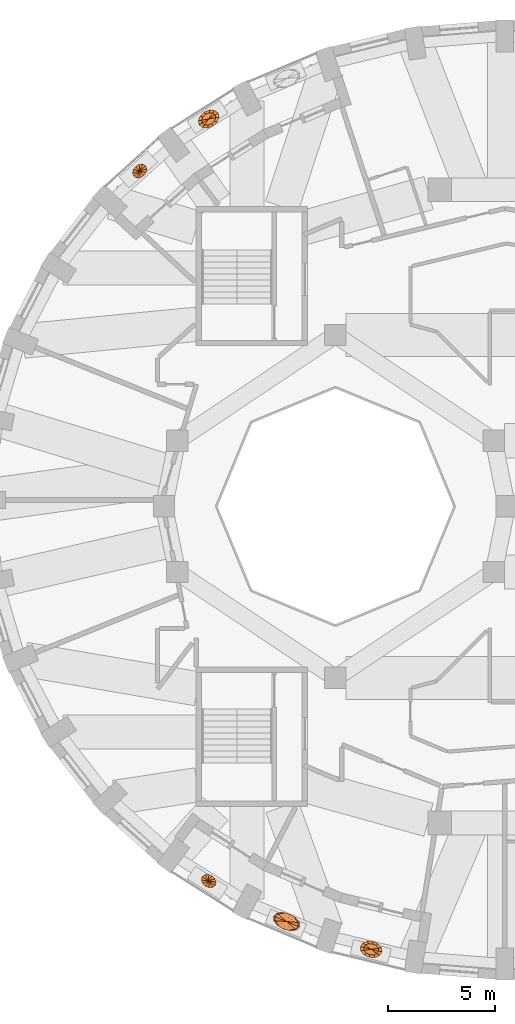
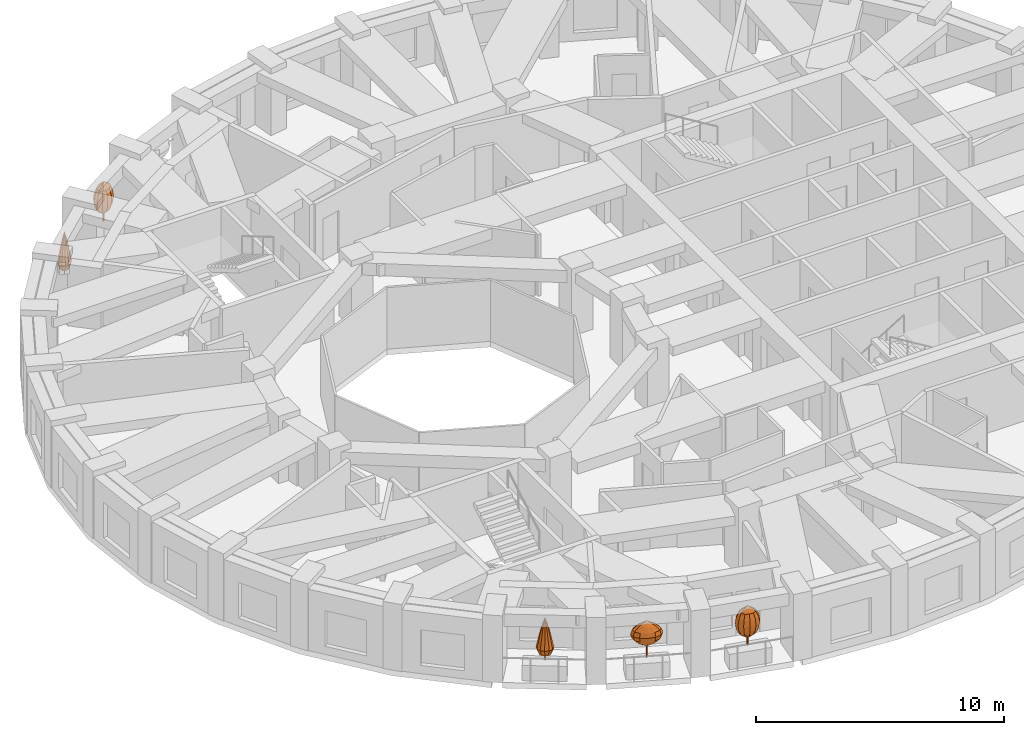
# One storey, part 11 of 12: 5 geographic elements.
"""IFC4 building model written with IfcOpenShell, lengths in metres."""

from ifc_helpers import new_model, si_unit, direction, frame, origin, place, context, subcontext, project, spatial, faceted_brep, material, constituent, constituent_set, type_object, element, save


model = new_model("IFC4")

# Units and contexts
model_context = context("Model", 3, precision=1e-05, world=origin(), true_north=direction((0.0, 1.0)))
body_context = subcontext(model_context, "Body", "Model", "MODEL_VIEW")
ifc_project = project(units=[si_unit("LENGTHUNIT", "METRE"), si_unit("AREAUNIT", "SQUARE_METRE"), si_unit("VOLUMEUNIT", "CUBIC_METRE"), si_unit("PLANEANGLEUNIT", "RADIAN"), si_unit("MASSUNIT", "GRAM", prefix="KILO")], contexts=[model_context])

# Site, building, storey
site_placement = place(None, origin())
site = spatial("IfcSite", under=ifc_project, at=site_placement, CompositionType="ELEMENT")
building_placement = place(site_placement, origin())
building = spatial("IfcBuilding", under=site, at=building_placement, Name="Taillehof Tower", CompositionType="ELEMENT")
storey_placement = place(building_placement, frame((0.0, 0.0, 253.10009765625)))
storey = spatial("IfcBuildingStorey", under=building, at=storey_placement, Name="L72", CompositionType="ELEMENT", Elevation=253.10009765625)

# Geographic elements
ifc_material_1 = material(Name="Tree bark", Category="timber")
ifc_constituent_1 = constituent(ifc_material_1, Name="Trunk", Category="timber")
ifc_material_2 = material(Name="Tree foliage")
ifc_constituent_2 = constituent(ifc_material_2, Name="Crown")
ifc_constituent_set_1 = constituent_set(constituents=[ifc_constituent_1, ifc_constituent_2], Name="Tree TR2 Fastigiate yew")
geographic_element_type_1 = type_object("IfcGeographicElementType", Name="Tree TR2 Fastigiate yew", PredefinedType="USERDEFINED", material=ifc_constituent_set_1)
geographic_element_1_placement = place(storey_placement, frame((-13.91650390625, 18.08251953125, 0.75)))
element("IfcGeographicElement", 1, at=geographic_element_1_placement, inside=storey, type_object=geographic_element_type_1, Name="Tree TR2 Fastigiate yew", ObjectType="TREE", PredefinedType="USERDEFINED", context=body_context, shape_type="Brep", body=[
    faceted_brep([(0.034912109375, 0.0, 0.0), (0.024658203125, 0.024658203125, 0.0), (0.024658203125, 0.024658203125, 0.909912109375), (0.034912109375, 0.0, 0.909912109375), (0.0, 0.034912109375, 0.0), (0.0, 0.034912109375, 0.909912109375), (-0.024658203125, 0.024658203125, 0.0), (-0.024658203125, 0.024658203125, 0.909912109375), (-0.034912109375, 0.0, 0.0), (-0.034912109375, 0.0, 0.909912109375), (-0.024658203125, -0.024658203125, 0.0), (-0.024658203125, -0.024658203125, 0.909912109375), (0.0, -0.034912109375, 0.0), (0.0, -0.034912109375, 0.909912109375), (0.024658203125, -0.024658203125, 0.0), (0.024658203125, -0.024658203125, 0.909912109375)], [[[0, 1, 2, 3]], [[1, 4, 5, 2]], [[4, 6, 7, 5]], [[6, 8, 9, 7]], [[8, 10, 11, 9]], [[10, 12, 13, 11]], [[12, 14, 15, 13]], [[14, 0, 3, 15]], [[14, 12, 10, 8, 6, 4, 1, 0]], [[3, 2, 5, 7, 9, 11, 13, 15]]]),
    faceted_brep([(0.0, 0.0, 0.35009765625), (-0.192138671875, -0.274658203125, 0.61669921875), (-0.302001953125, -0.1904296875, 0.61669921875), (-0.031005859375, -0.285400390625, 0.61669921875), (0.138427734375, -0.219482421875, 0.61669921875), (0.270751953125, -0.094970703125, 0.61669921875), (0.33056640625, 0.054931640625, 0.61669921875), (0.302001953125, 0.1904296875, 0.61669921875), (0.192138671875, 0.274658203125, 0.61669921875), (0.031005859375, 0.285400390625, 0.61669921875), (-0.138427734375, 0.219482421875, 0.61669921875), (-0.270751953125, 0.094970703125, 0.61669921875), (-0.33056640625, -0.054931640625, 0.61669921875), (-0.260009765625, -0.371337890625, 0.88330078125), (-0.408447265625, -0.257568359375, 0.88330078125), (-0.0419921875, -0.385986328125, 0.88330078125), (0.187255859375, -0.297119140625, 0.88330078125), (0.366455078125, -0.12841796875, 0.88330078125), (0.447265625, 0.074462890625, 0.88330078125), (0.408447265625, 0.257568359375, 0.88330078125), (0.260009765625, 0.371337890625, 0.88330078125), (0.0419921875, 0.385986328125, 0.88330078125), (-0.187255859375, 0.297119140625, 0.88330078125), (-0.366455078125, 0.12841796875, 0.88330078125), (-0.447265625, -0.074462890625, 0.88330078125), (-0.281494140625, -0.402099609375, 1.14990234375), (-0.44189453125, -0.278564453125, 1.14990234375), (-0.04541015625, -0.417724609375, 1.14990234375), (0.20263671875, -0.321533203125, 1.14990234375), (0.396484375, -0.13916015625, 1.14990234375), (0.484130859375, 0.08056640625, 1.14990234375), (0.44189453125, 0.278564453125, 1.14990234375), (0.281494140625, 0.402099609375, 1.14990234375), (0.04541015625, 0.417724609375, 1.14990234375), (-0.20263671875, 0.321533203125, 1.14990234375), (-0.396484375, 0.13916015625, 1.14990234375), (-0.484130859375, -0.08056640625, 1.14990234375), (-0.260009765625, -0.371337890625, 1.416748046875), (-0.408447265625, -0.257568359375, 1.416748046875), (-0.0419921875, -0.385986328125, 1.416748046875), (0.187255859375, -0.297119140625, 1.416748046875), (0.366455078125, -0.12841796875, 1.416748046875), (0.447265625, 0.074462890625, 1.416748046875), (0.408447265625, 0.257568359375, 1.416748046875), (0.260009765625, 0.371337890625, 1.416748046875), (0.0419921875, 0.385986328125, 1.416748046875), (-0.187255859375, 0.297119140625, 1.416748046875), (-0.366455078125, 0.12841796875, 1.416748046875), (-0.447265625, -0.074462890625, 1.416748046875), (-0.192138671875, -0.274658203125, 1.683349609375), (-0.302001953125, -0.1904296875, 1.683349609375), (-0.031005859375, -0.285400390625, 1.683349609375), (0.138427734375, -0.219482421875, 1.683349609375), (0.270751953125, -0.094970703125, 1.683349609375), (0.33056640625, 0.054931640625, 1.683349609375), (0.302001953125, 0.1904296875, 1.683349609375), (0.192138671875, 0.274658203125, 1.683349609375), (0.031005859375, 0.285400390625, 1.683349609375), (-0.138427734375, 0.219482421875, 1.683349609375), (-0.270751953125, 0.094970703125, 1.683349609375), (-0.33056640625, -0.054931640625, 1.683349609375), (0.0, 0.0, 1.949951171875)], [[[0, 1, 2]], [[0, 3, 1]], [[0, 4, 3]], [[0, 5, 4]], [[0, 6, 5]], [[0, 7, 6]], [[0, 8, 7]], [[0, 9, 8]], [[0, 10, 9]], [[0, 11, 10]], [[0, 12, 11]], [[0, 2, 12]], [[2, 1, 13, 14]], [[1, 3, 15, 13]], [[3, 4, 16, 15]], [[4, 5, 17, 16]], [[5, 6, 18, 17]], [[6, 7, 19, 18]], [[7, 8, 20, 19]], [[8, 9, 21, 20]], [[9, 10, 22, 21]], [[10, 11, 23, 22]], [[11, 12, 24, 23]], [[12, 2, 14, 24]], [[14, 13, 25, 26]], [[13, 15, 27, 25]], [[15, 16, 28, 27]], [[16, 17, 29, 28]], [[17, 18, 30, 29]], [[18, 19, 31, 30]], [[19, 20, 32, 31]], [[20, 21, 33, 32]], [[21, 22, 34, 33]], [[22, 23, 35, 34]], [[23, 24, 36, 35]], [[24, 14, 26, 36]], [[26, 25, 37, 38]], [[25, 27, 39, 37]], [[27, 28, 40, 39]], [[28, 29, 41, 40]], [[29, 30, 42, 41]], [[30, 31, 43, 42]], [[31, 32, 44, 43]], [[32, 33, 45, 44]], [[33, 34, 46, 45]], [[34, 35, 47, 46]], [[35, 36, 48, 47]], [[36, 26, 38, 48]], [[38, 37, 49, 50]], [[37, 39, 51, 49]], [[39, 40, 52, 51]], [[40, 41, 53, 52]], [[41, 42, 54, 53]], [[42, 43, 55, 54]], [[43, 44, 56, 55]], [[44, 45, 57, 56]], [[45, 46, 58, 57]], [[46, 47, 59, 58]], [[47, 48, 60, 59]], [[48, 38, 50, 60]], [[50, 49, 61]], [[49, 51, 61]], [[51, 52, 61]], [[52, 53, 61]], [[53, 54, 61]], [[54, 55, 61]], [[55, 56, 61]], [[56, 57, 61]], [[57, 58, 61]], [[58, 59, 61]], [[59, 60, 61]], [[60, 50, 61]]]),
])
geographic_element_2_placement = place(storey_placement, frame((-6.333984375, -20.666259765625, 0.75)))
element("IfcGeographicElement", 2, at=geographic_element_2_placement, inside=storey, type_object=geographic_element_type_1, Name="Tree TR2 Fastigiate yew", ObjectType="TREE", PredefinedType="USERDEFINED", context=body_context, shape_type="Brep", body=[
    faceted_brep([(0.034912109375, 0.0, 0.0), (0.024658203125, 0.024658203125, 0.0), (0.024658203125, 0.024658203125, 0.909912109375), (0.034912109375, 0.0, 0.909912109375), (0.0, 0.034912109375, 0.0), (0.0, 0.034912109375, 0.909912109375), (-0.024658203125, 0.024658203125, 0.0), (-0.024658203125, 0.024658203125, 0.909912109375), (-0.034912109375, 0.0, 0.0), (-0.034912109375, 0.0, 0.909912109375), (-0.024658203125, -0.024658203125, 0.0), (-0.024658203125, -0.024658203125, 0.909912109375), (0.0, -0.034912109375, 0.0), (0.0, -0.034912109375, 0.909912109375), (0.024658203125, -0.024658203125, 0.0), (0.024658203125, -0.024658203125, 0.909912109375)], [[[0, 1, 2, 3]], [[1, 4, 5, 2]], [[4, 6, 7, 5]], [[6, 8, 9, 7]], [[8, 10, 11, 9]], [[10, 12, 13, 11]], [[12, 14, 15, 13]], [[14, 0, 3, 15]], [[14, 12, 10, 8, 6, 4, 1, 0]], [[3, 2, 5, 7, 9, 11, 13, 15]]]),
    faceted_brep([(0.0, 0.0, 0.35009765625), (0.330810546875, 0.0537109375, 0.61669921875), (0.346923828125, -0.083740234375, 0.61669921875), (0.22607421875, 0.1767578125, 0.61669921875), (0.060791015625, 0.252197265625, 0.61669921875), (-0.120849609375, 0.26025390625, 0.61669921875), (-0.27001953125, 0.19873046875, 0.61669921875), (-0.346923828125, 0.083740234375, 0.61669921875), (-0.330810546875, -0.0537109375, 0.61669921875), (-0.22607421875, -0.1767578125, 0.61669921875), (-0.060791015625, -0.252197265625, 0.61669921875), (0.120849609375, -0.26025390625, 0.61669921875), (0.27001953125, -0.19873046875, 0.61669921875), (0.447509765625, 0.072509765625, 0.88330078125), (0.46923828125, -0.11328125, 0.88330078125), (0.305908203125, 0.239013671875, 0.88330078125), (0.082275390625, 0.34130859375, 0.88330078125), (-0.163330078125, 0.352294921875, 0.88330078125), (-0.365234375, 0.268798828125, 0.88330078125), (-0.46923828125, 0.11328125, 0.88330078125), (-0.447509765625, -0.072509765625, 0.88330078125), (-0.305908203125, -0.239013671875, 0.88330078125), (-0.082275390625, -0.34130859375, 0.88330078125), (0.163330078125, -0.352294921875, 0.88330078125), (0.365234375, -0.268798828125, 0.88330078125), (0.484375, 0.07861328125, 1.14990234375), (0.5078125, -0.12255859375, 1.14990234375), (0.3310546875, 0.258544921875, 1.14990234375), (0.089111328125, 0.369384765625, 1.14990234375), (-0.1767578125, 0.381103515625, 1.14990234375), (-0.395263671875, 0.290771484375, 1.14990234375), (-0.5078125, 0.12255859375, 1.14990234375), (-0.484375, -0.07861328125, 1.14990234375), (-0.3310546875, -0.258544921875, 1.14990234375), (-0.089111328125, -0.369384765625, 1.14990234375), (0.1767578125, -0.381103515625, 1.14990234375), (0.395263671875, -0.290771484375, 1.14990234375), (0.447509765625, 0.072509765625, 1.416748046875), (0.46923828125, -0.11328125, 1.416748046875), (0.305908203125, 0.239013671875, 1.416748046875), (0.082275390625, 0.34130859375, 1.416748046875), (-0.163330078125, 0.352294921875, 1.416748046875), (-0.365234375, 0.268798828125, 1.416748046875), (-0.46923828125, 0.11328125, 1.416748046875), (-0.447509765625, -0.072509765625, 1.416748046875), (-0.305908203125, -0.239013671875, 1.416748046875), (-0.082275390625, -0.34130859375, 1.416748046875), (0.163330078125, -0.352294921875, 1.416748046875), (0.365234375, -0.268798828125, 1.416748046875), (0.330810546875, 0.0537109375, 1.683349609375), (0.346923828125, -0.083740234375, 1.683349609375), (0.22607421875, 0.1767578125, 1.683349609375), (0.060791015625, 0.252197265625, 1.683349609375), (-0.120849609375, 0.26025390625, 1.683349609375), (-0.27001953125, 0.19873046875, 1.683349609375), (-0.346923828125, 0.083740234375, 1.683349609375), (-0.330810546875, -0.0537109375, 1.683349609375), (-0.22607421875, -0.1767578125, 1.683349609375), (-0.060791015625, -0.252197265625, 1.683349609375), (0.120849609375, -0.26025390625, 1.683349609375), (0.27001953125, -0.19873046875, 1.683349609375), (0.0, 0.0, 1.949951171875)], [[[0, 1, 2]], [[0, 3, 1]], [[0, 4, 3]], [[0, 5, 4]], [[0, 6, 5]], [[0, 7, 6]], [[0, 8, 7]], [[0, 9, 8]], [[0, 10, 9]], [[0, 11, 10]], [[0, 12, 11]], [[0, 2, 12]], [[2, 1, 13, 14]], [[1, 3, 15, 13]], [[3, 4, 16, 15]], [[4, 5, 17, 16]], [[5, 6, 18, 17]], [[6, 7, 19, 18]], [[7, 8, 20, 19]], [[8, 9, 21, 20]], [[9, 10, 22, 21]], [[10, 11, 23, 22]], [[11, 12, 24, 23]], [[12, 2, 14, 24]], [[14, 13, 25, 26]], [[13, 15, 27, 25]], [[15, 16, 28, 27]], [[16, 17, 29, 28]], [[17, 18, 30, 29]], [[18, 19, 31, 30]], [[19, 20, 32, 31]], [[20, 21, 33, 32]], [[21, 22, 34, 33]], [[22, 23, 35, 34]], [[23, 24, 36, 35]], [[24, 14, 26, 36]], [[26, 25, 37, 38]], [[25, 27, 39, 37]], [[27, 28, 40, 39]], [[28, 29, 41, 40]], [[29, 30, 42, 41]], [[30, 31, 43, 42]], [[31, 32, 44, 43]], [[32, 33, 45, 44]], [[33, 34, 46, 45]], [[34, 35, 47, 46]], [[35, 36, 48, 47]], [[36, 26, 38, 48]], [[38, 37, 49, 50]], [[37, 39, 51, 49]], [[39, 40, 52, 51]], [[40, 41, 53, 52]], [[41, 42, 54, 53]], [[42, 43, 55, 54]], [[43, 44, 56, 55]], [[44, 45, 57, 56]], [[45, 46, 58, 57]], [[46, 47, 59, 58]], [[47, 48, 60, 59]], [[48, 38, 50, 60]], [[50, 49, 61]], [[49, 51, 61]], [[51, 52, 61]], [[52, 53, 61]], [[53, 54, 61]], [[54, 55, 61]], [[55, 56, 61]], [[56, 57, 61]], [[57, 58, 61]], [[58, 59, 61]], [[59, 60, 61]], [[60, 50, 61]]]),
])
ifc_material_3 = material(Name="Tree bark", Category="timber")
ifc_constituent_3 = constituent(ifc_material_3, Name="Trunk", Category="timber")
ifc_material_4 = material(Name="Tree foliage")
ifc_constituent_4 = constituent(ifc_material_4, Name="Crown")
ifc_constituent_set_2 = constituent_set(constituents=[ifc_constituent_3, ifc_constituent_4], Name="Tree TR4 Sea buckthorn standard")
geographic_element_type_2 = type_object("IfcGeographicElementType", Name="Tree TR4 Sea buckthorn standard", PredefinedType="USERDEFINED", material=ifc_constituent_set_2)
geographic_element_3_placement = place(storey_placement, frame((-10.279541015625, -19.373291015625, 0.75)))
element("IfcGeographicElement", 3, at=geographic_element_3_placement, inside=storey, type_object=geographic_element_type_2, Name="Tree TR4 Sea buckthorn standard", ObjectType="TREE", PredefinedType="USERDEFINED", context=body_context, shape_type="Brep", body=[
    faceted_brep([(0.030029296875, 0.0, 0.0), (0.021240234375, 0.021240234375, 0.0), (0.021240234375, 0.021240234375, 0.98095703125), (0.030029296875, 0.0, 0.98095703125), (0.0, 0.030029296875, 0.0), (0.0, 0.030029296875, 0.98095703125), (-0.021240234375, 0.021240234375, 0.0), (-0.021240234375, 0.021240234375, 0.98095703125), (-0.030029296875, 0.0, 0.0), (-0.030029296875, 0.0, 0.98095703125), (-0.021240234375, -0.021240234375, 0.0), (-0.021240234375, -0.021240234375, 0.98095703125), (0.0, -0.030029296875, 0.0), (0.0, -0.030029296875, 0.98095703125), (0.021240234375, -0.021240234375, 0.0), (0.021240234375, -0.021240234375, 0.98095703125)], [[[0, 1, 2, 3]], [[1, 4, 5, 2]], [[4, 6, 7, 5]], [[6, 8, 9, 7]], [[8, 10, 11, 9]], [[10, 12, 13, 11]], [[12, 14, 15, 13]], [[14, 0, 3, 15]], [[14, 12, 10, 8, 6, 4, 1, 0]], [[3, 2, 5, 7, 9, 11, 13, 15]]]),
    faceted_brep([(0.0, 0.0, 0.5400390625), (0.34716796875, -0.02734375, 0.75), (0.35205078125, -0.14794921875, 0.75), (0.249267578125, 0.100341796875, 0.75), (0.08447265625, 0.201171875, 0.75), (-0.10302734375, 0.248291015625, 0.75), (-0.2626953125, 0.228759765625, 0.75), (-0.35205078125, 0.14794921875, 0.75), (-0.34716796875, 0.02734375, 0.75), (-0.249267578125, -0.100341796875, 0.75), (-0.08447265625, -0.201171875, 0.75), (0.10302734375, -0.248291015625, 0.75), (0.2626953125, -0.228759765625, 0.75), (0.538818359375, -0.04248046875, 0.9599609375), (0.54638671875, -0.2294921875, 0.9599609375), (0.38671875, 0.15576171875, 0.9599609375), (0.131103515625, 0.312255859375, 0.9599609375), (-0.15966796875, 0.38525390625, 0.9599609375), (-0.40771484375, 0.354736328125, 0.9599609375), (-0.54638671875, 0.2294921875, 0.9599609375), (-0.538818359375, 0.04248046875, 0.9599609375), (-0.38671875, -0.15576171875, 0.9599609375), (-0.131103515625, -0.312255859375, 0.9599609375), (0.15966796875, -0.38525390625, 0.9599609375), (0.40771484375, -0.354736328125, 0.9599609375), (0.6044921875, -0.0478515625, 1.169921875), (0.613037109375, -0.25732421875, 1.169921875), (0.43408203125, 0.1748046875, 1.169921875), (0.147216796875, 0.350341796875, 1.169921875), (-0.17919921875, 0.43212890625, 1.169921875), (-0.45751953125, 0.398193359375, 1.169921875), (-0.613037109375, 0.25732421875, 1.169921875), (-0.6044921875, 0.0478515625, 1.169921875), (-0.43408203125, -0.1748046875, 1.169921875), (-0.147216796875, -0.350341796875, 1.169921875), (0.17919921875, -0.43212890625, 1.169921875), (0.45751953125, -0.398193359375, 1.169921875), (0.538818359375, -0.04248046875, 1.3798828125), (0.54638671875, -0.2294921875, 1.3798828125), (0.38671875, 0.15576171875, 1.3798828125), (0.131103515625, 0.312255859375, 1.3798828125), (-0.15966796875, 0.38525390625, 1.3798828125), (-0.40771484375, 0.354736328125, 1.3798828125), (-0.54638671875, 0.2294921875, 1.3798828125), (-0.538818359375, 0.04248046875, 1.3798828125), (-0.38671875, -0.15576171875, 1.3798828125), (-0.131103515625, -0.312255859375, 1.3798828125), (0.15966796875, -0.38525390625, 1.3798828125), (0.40771484375, -0.354736328125, 1.3798828125), (0.34716796875, -0.02734375, 1.590087890625), (0.35205078125, -0.14794921875, 1.590087890625), (0.249267578125, 0.100341796875, 1.590087890625), (0.08447265625, 0.201171875, 1.590087890625), (-0.10302734375, 0.248291015625, 1.590087890625), (-0.2626953125, 0.228759765625, 1.590087890625), (-0.35205078125, 0.14794921875, 1.590087890625), (-0.34716796875, 0.02734375, 1.590087890625), (-0.249267578125, -0.100341796875, 1.590087890625), (-0.08447265625, -0.201171875, 1.590087890625), (0.10302734375, -0.248291015625, 1.590087890625), (0.2626953125, -0.228759765625, 1.590087890625), (0.0, 0.0, 1.800048828125)], [[[0, 1, 2]], [[0, 3, 1]], [[0, 4, 3]], [[0, 5, 4]], [[0, 6, 5]], [[0, 7, 6]], [[0, 8, 7]], [[0, 9, 8]], [[0, 10, 9]], [[0, 11, 10]], [[0, 12, 11]], [[0, 2, 12]], [[2, 1, 13, 14]], [[1, 3, 15, 13]], [[3, 4, 16, 15]], [[4, 5, 17, 16]], [[5, 6, 18, 17]], [[6, 7, 19, 18]], [[7, 8, 20, 19]], [[8, 9, 21, 20]], [[9, 10, 22, 21]], [[10, 11, 23, 22]], [[11, 12, 24, 23]], [[12, 2, 14, 24]], [[14, 13, 25, 26]], [[13, 15, 27, 25]], [[15, 16, 28, 27]], [[16, 17, 29, 28]], [[17, 18, 30, 29]], [[18, 19, 31, 30]], [[19, 20, 32, 31]], [[20, 21, 33, 32]], [[21, 22, 34, 33]], [[22, 23, 35, 34]], [[23, 24, 36, 35]], [[24, 14, 26, 36]], [[26, 25, 37, 38]], [[25, 27, 39, 37]], [[27, 28, 40, 39]], [[28, 29, 41, 40]], [[29, 30, 42, 41]], [[30, 31, 43, 42]], [[31, 32, 44, 43]], [[32, 33, 45, 44]], [[33, 34, 46, 45]], [[34, 35, 47, 46]], [[35, 36, 48, 47]], [[36, 26, 38, 48]], [[38, 37, 49, 50]], [[37, 39, 51, 49]], [[39, 40, 52, 51]], [[40, 41, 53, 52]], [[41, 42, 54, 53]], [[42, 43, 55, 54]], [[43, 44, 56, 55]], [[44, 45, 57, 56]], [[45, 46, 58, 57]], [[46, 47, 59, 58]], [[47, 48, 60, 59]], [[48, 38, 50, 60]], [[50, 49, 61]], [[49, 51, 61]], [[51, 52, 61]], [[52, 53, 61]], [[53, 54, 61]], [[54, 55, 61]], [[55, 56, 61]], [[56, 57, 61]], [[57, 58, 61]], [[58, 59, 61]], [[59, 60, 61]], [[60, 50, 61]]]),
])
ifc_material_5 = material(Name="Tree bark", Category="timber")
ifc_constituent_5 = constituent(ifc_material_5, Name="Trunk", Category="timber")
ifc_material_6 = material(Name="Tree foliage")
ifc_constituent_6 = constituent(ifc_material_6, Name="Crown")
ifc_constituent_set_3 = constituent_set(constituents=[ifc_constituent_5, ifc_constituent_6], Name="Tree TR5 Columnar juniper")
geographic_element_type_3 = type_object("IfcGeographicElementType", Name="Tree TR5 Columnar juniper", PredefinedType="USERDEFINED", material=ifc_constituent_set_3)
geographic_element_4_placement = place(storey_placement, frame((-17.134033203125, 15.651611328125, 0.75)))
element("IfcGeographicElement", 4, at=geographic_element_4_placement, inside=storey, type_object=geographic_element_type_3, Name="Tree TR5 Columnar juniper", ObjectType="TREE", PredefinedType="USERDEFINED", context=body_context, shape_type="Brep", body=[
    faceted_brep([(0.02490234375, 0.0, 0.0), (0.017578125, 0.017578125, 0.0), (0.017578125, 0.017578125, 0.929931640625), (0.02490234375, 0.0, 0.929931640625), (0.0, 0.02490234375, 0.0), (0.0, 0.02490234375, 0.929931640625), (-0.017578125, 0.017578125, 0.0), (-0.017578125, 0.017578125, 0.929931640625), (-0.02490234375, 0.0, 0.0), (-0.02490234375, 0.0, 0.929931640625), (-0.017578125, -0.017578125, 0.0), (-0.017578125, -0.017578125, 0.929931640625), (0.0, -0.02490234375, 0.0), (0.0, -0.02490234375, 0.929931640625), (0.017578125, -0.017578125, 0.0), (0.017578125, -0.017578125, 0.929931640625)], [[[0, 1, 2, 3]], [[1, 4, 5, 2]], [[4, 6, 7, 5]], [[6, 8, 9, 7]], [[8, 10, 11, 9]], [[10, 12, 13, 11]], [[12, 14, 15, 13]], [[14, 0, 3, 15]], [[14, 12, 10, 8, 6, 4, 1, 0]], [[3, 2, 5, 7, 9, 11, 13, 15]]]),
    faceted_brep([(-0.183837890625, -0.16552734375, 0.300048828125), (-0.094970703125, -0.21484375, 0.300048828125), (-0.1416015625, -0.32080078125, 0.60009765625), (-0.274658203125, -0.247314453125, 0.60009765625), (0.01953125, -0.206787109375, 0.300048828125), (0.029296875, -0.30859375, 0.60009765625), (0.12890625, -0.14306640625, 0.300048828125), (0.1923828125, -0.213623046875, 0.60009765625), (0.20361328125, -0.041015625, 0.300048828125), (0.3037109375, -0.061279296875, 0.60009765625), (0.2236328125, 0.07177734375, 0.300048828125), (0.333984375, 0.107421875, 0.60009765625), (0.183837890625, 0.16552734375, 0.300048828125), (0.274658203125, 0.247314453125, 0.60009765625), (0.094970703125, 0.21484375, 0.300048828125), (0.1416015625, 0.32080078125, 0.60009765625), (-0.01953125, 0.206787109375, 0.300048828125), (-0.029296875, 0.30859375, 0.60009765625), (-0.12890625, 0.14306640625, 0.300048828125), (-0.1923828125, 0.213623046875, 0.60009765625), (-0.20361328125, 0.041015625, 0.300048828125), (-0.3037109375, 0.061279296875, 0.60009765625), (-0.2236328125, -0.07177734375, 0.300048828125), (-0.333984375, -0.107421875, 0.60009765625), (-0.118408203125, -0.268310546875, 0.89990234375), (-0.229736328125, -0.206787109375, 0.89990234375), (0.0244140625, -0.258056640625, 0.89990234375), (0.160888671875, -0.1787109375, 0.89990234375), (0.254150390625, -0.05126953125, 0.89990234375), (0.279296875, 0.08984375, 0.89990234375), (0.229736328125, 0.206787109375, 0.89990234375), (0.118408203125, 0.268310546875, 0.89990234375), (-0.0244140625, 0.258056640625, 0.89990234375), (-0.160888671875, 0.1787109375, 0.89990234375), (-0.254150390625, 0.05126953125, 0.89990234375), (-0.279296875, -0.08984375, 0.89990234375), (-0.09423828125, -0.213134765625, 1.199951171875), (-0.182373046875, -0.164306640625, 1.199951171875), (0.01953125, -0.205078125, 1.199951171875), (0.127685546875, -0.141845703125, 1.199951171875), (0.201904296875, -0.040771484375, 1.199951171875), (0.221923828125, 0.0712890625, 1.199951171875), (0.182373046875, 0.164306640625, 1.199951171875), (0.09423828125, 0.213134765625, 1.199951171875), (-0.01953125, 0.205078125, 1.199951171875), (-0.127685546875, 0.141845703125, 1.199951171875), (-0.201904296875, 0.040771484375, 1.199951171875), (-0.221923828125, -0.0712890625, 1.199951171875), (-0.068115234375, -0.154052734375, 1.5), (-0.1318359375, -0.118896484375, 1.5), (0.01416015625, -0.148193359375, 1.5), (0.09228515625, -0.1025390625, 1.5), (0.14599609375, -0.029541015625, 1.5), (0.160400390625, 0.051513671875, 1.5), (0.1318359375, 0.118896484375, 1.5), (0.068115234375, 0.154052734375, 1.5), (-0.01416015625, 0.148193359375, 1.5), (-0.09228515625, 0.1025390625, 1.5), (-0.14599609375, 0.029541015625, 1.5), (-0.160400390625, -0.051513671875, 1.5), (-0.0390625, -0.088623046875, 1.800048828125), (-0.07568359375, -0.068115234375, 1.800048828125), (0.008056640625, -0.085205078125, 1.800048828125), (0.052978515625, -0.058837890625, 1.800048828125), (0.083740234375, -0.016845703125, 1.800048828125), (0.092041015625, 0.029541015625, 1.800048828125), (0.07568359375, 0.068115234375, 1.800048828125), (0.0390625, 0.088623046875, 1.800048828125), (-0.008056640625, 0.085205078125, 1.800048828125), (-0.052978515625, 0.058837890625, 1.800048828125), (-0.083740234375, 0.016845703125, 1.800048828125), (-0.092041015625, -0.029541015625, 1.800048828125), (0.0, 0.0, 2.10009765625)], [[[0, 1, 2, 3]], [[1, 4, 5, 2]], [[4, 6, 7, 5]], [[6, 8, 9, 7]], [[8, 10, 11, 9]], [[10, 12, 13, 11]], [[12, 14, 15, 13]], [[14, 16, 17, 15]], [[16, 18, 19, 17]], [[18, 20, 21, 19]], [[20, 22, 23, 21]], [[22, 0, 3, 23]], [[3, 2, 24, 25]], [[2, 5, 26, 24]], [[5, 7, 27, 26]], [[7, 9, 28, 27]], [[9, 11, 29, 28]], [[11, 13, 30, 29]], [[13, 15, 31, 30]], [[15, 17, 32, 31]], [[17, 19, 33, 32]], [[19, 21, 34, 33]], [[21, 23, 35, 34]], [[23, 3, 25, 35]], [[25, 24, 36, 37]], [[24, 26, 38, 36]], [[26, 27, 39, 38]], [[27, 28, 40, 39]], [[28, 29, 41, 40]], [[29, 30, 42, 41]], [[30, 31, 43, 42]], [[31, 32, 44, 43]], [[32, 33, 45, 44]], [[33, 34, 46, 45]], [[34, 35, 47, 46]], [[35, 25, 37, 47]], [[37, 36, 48, 49]], [[36, 38, 50, 48]], [[38, 39, 51, 50]], [[39, 40, 52, 51]], [[40, 41, 53, 52]], [[41, 42, 54, 53]], [[42, 43, 55, 54]], [[43, 44, 56, 55]], [[44, 45, 57, 56]], [[45, 46, 58, 57]], [[46, 47, 59, 58]], [[47, 37, 49, 59]], [[49, 48, 60, 61]], [[48, 50, 62, 60]], [[50, 51, 63, 62]], [[51, 52, 64, 63]], [[52, 53, 65, 64]], [[53, 54, 66, 65]], [[54, 55, 67, 66]], [[55, 56, 68, 67]], [[56, 57, 69, 68]], [[57, 58, 70, 69]], [[58, 59, 71, 70]], [[59, 49, 61, 71]], [[61, 60, 72]], [[60, 62, 72]], [[62, 63, 72]], [[63, 64, 72]], [[64, 65, 72]], [[65, 66, 72]], [[66, 67, 72]], [[67, 68, 72]], [[68, 69, 72]], [[69, 70, 72]], [[70, 71, 72]], [[71, 61, 72]], [[22, 20, 18, 16, 14, 12, 10, 8, 6, 4, 1, 0]]]),
])
geographic_element_5_placement = place(storey_placement, frame((-13.91650390625, -17.482666015625, 0.75)))
element("IfcGeographicElement", 5, at=geographic_element_5_placement, inside=storey, type_object=geographic_element_type_3, Name="Tree TR5 Columnar juniper", ObjectType="TREE", PredefinedType="USERDEFINED", context=body_context, shape_type="Brep", body=[
    faceted_brep([(0.02490234375, 0.0, 0.0), (0.017578125, 0.017578125, 0.0), (0.017578125, 0.017578125, 0.929931640625), (0.02490234375, 0.0, 0.929931640625), (0.0, 0.02490234375, 0.0), (0.0, 0.02490234375, 0.929931640625), (-0.017578125, 0.017578125, 0.0), (-0.017578125, 0.017578125, 0.929931640625), (-0.02490234375, 0.0, 0.0), (-0.02490234375, 0.0, 0.929931640625), (-0.017578125, -0.017578125, 0.0), (-0.017578125, -0.017578125, 0.929931640625), (0.0, -0.02490234375, 0.0), (0.0, -0.02490234375, 0.929931640625), (0.017578125, -0.017578125, 0.0), (0.017578125, -0.017578125, 0.929931640625)], [[[0, 1, 2, 3]], [[1, 4, 5, 2]], [[4, 6, 7, 5]], [[6, 8, 9, 7]], [[8, 10, 11, 9]], [[10, 12, 13, 11]], [[12, 14, 15, 13]], [[14, 0, 3, 15]], [[14, 12, 10, 8, 6, 4, 1, 0]], [[3, 2, 5, 7, 9, 11, 13, 15]]]),
    faceted_brep([(0.20947265625, -0.132080078125, 0.300048828125), (0.232666015625, -0.032958984375, 0.300048828125), (0.347412109375, -0.049072265625, 0.60009765625), (0.3125, -0.197021484375, 0.60009765625), (0.193603515625, 0.074951171875, 0.300048828125), (0.2890625, 0.112060546875, 0.60009765625), (0.1025390625, 0.162841796875, 0.300048828125), (0.1533203125, 0.2431640625, 0.60009765625), (-0.015869140625, 0.20703125, 0.300048828125), (-0.0234375, 0.30908203125, 0.60009765625), (-0.1298828125, 0.19580078125, 0.300048828125), (-0.194091796875, 0.292236328125, 0.60009765625), (-0.20947265625, 0.132080078125, 0.300048828125), (-0.3125, 0.197021484375, 0.60009765625), (-0.232666015625, 0.032958984375, 0.300048828125), (-0.347412109375, 0.049072265625, 0.60009765625), (-0.193603515625, -0.074951171875, 0.300048828125), (-0.2890625, -0.112060546875, 0.60009765625), (-0.1025390625, -0.162841796875, 0.300048828125), (-0.1533203125, -0.2431640625, 0.60009765625), (0.015869140625, -0.20703125, 0.300048828125), (0.0234375, -0.30908203125, 0.60009765625), (0.1298828125, -0.19580078125, 0.300048828125), (0.194091796875, -0.292236328125, 0.60009765625), (0.29052734375, -0.041015625, 0.89990234375), (0.261474609375, -0.164794921875, 0.89990234375), (0.24169921875, 0.09375, 0.89990234375), (0.128173828125, 0.203369140625, 0.89990234375), (-0.019775390625, 0.258544921875, 0.89990234375), (-0.162353515625, 0.244384765625, 0.89990234375), (-0.261474609375, 0.164794921875, 0.89990234375), (-0.29052734375, 0.041015625, 0.89990234375), (-0.24169921875, -0.09375, 0.89990234375), (-0.128173828125, -0.203369140625, 0.89990234375), (0.019775390625, -0.258544921875, 0.89990234375), (0.162353515625, -0.244384765625, 0.89990234375), (0.230712890625, -0.03271484375, 1.199951171875), (0.207763671875, -0.130859375, 1.199951171875), (0.192138671875, 0.074462890625, 1.199951171875), (0.101806640625, 0.16162109375, 1.199951171875), (-0.015625, 0.205322265625, 1.199951171875), (-0.12890625, 0.194091796875, 1.199951171875), (-0.207763671875, 0.130859375, 1.199951171875), (-0.230712890625, 0.03271484375, 1.199951171875), (-0.192138671875, -0.074462890625, 1.199951171875), (-0.101806640625, -0.16162109375, 1.199951171875), (0.015625, -0.205322265625, 1.199951171875), (0.12890625, -0.194091796875, 1.199951171875), (0.166748046875, -0.023681640625, 1.5), (0.150146484375, -0.0947265625, 1.5), (0.138916015625, 0.0537109375, 1.5), (0.07373046875, 0.11669921875, 1.5), (-0.01123046875, 0.1484375, 1.5), (-0.09326171875, 0.140380859375, 1.5), (-0.150146484375, 0.0947265625, 1.5), (-0.166748046875, 0.023681640625, 1.5), (-0.138916015625, -0.0537109375, 1.5), (-0.07373046875, -0.11669921875, 1.5), (0.01123046875, -0.1484375, 1.5), (0.09326171875, -0.140380859375, 1.5), (0.095947265625, -0.013427734375, 1.800048828125), (0.086181640625, -0.054443359375, 1.800048828125), (0.079833984375, 0.031005859375, 1.800048828125), (0.042236328125, 0.067138671875, 1.800048828125), (-0.006591796875, 0.085205078125, 1.800048828125), (-0.053466796875, 0.08056640625, 1.800048828125), (-0.086181640625, 0.054443359375, 1.800048828125), (-0.095947265625, 0.013427734375, 1.800048828125), (-0.079833984375, -0.031005859375, 1.800048828125), (-0.042236328125, -0.067138671875, 1.800048828125), (0.006591796875, -0.085205078125, 1.800048828125), (0.053466796875, -0.08056640625, 1.800048828125), (0.0, 0.0, 2.10009765625)], [[[0, 1, 2, 3]], [[1, 4, 5, 2]], [[4, 6, 7, 5]], [[6, 8, 9, 7]], [[8, 10, 11, 9]], [[10, 12, 13, 11]], [[12, 14, 15, 13]], [[14, 16, 17, 15]], [[16, 18, 19, 17]], [[18, 20, 21, 19]], [[20, 22, 23, 21]], [[22, 0, 3, 23]], [[3, 2, 24, 25]], [[2, 5, 26, 24]], [[5, 7, 27, 26]], [[7, 9, 28, 27]], [[9, 11, 29, 28]], [[11, 13, 30, 29]], [[13, 15, 31, 30]], [[15, 17, 32, 31]], [[17, 19, 33, 32]], [[19, 21, 34, 33]], [[21, 23, 35, 34]], [[23, 3, 25, 35]], [[25, 24, 36, 37]], [[24, 26, 38, 36]], [[26, 27, 39, 38]], [[27, 28, 40, 39]], [[28, 29, 41, 40]], [[29, 30, 42, 41]], [[30, 31, 43, 42]], [[31, 32, 44, 43]], [[32, 33, 45, 44]], [[33, 34, 46, 45]], [[34, 35, 47, 46]], [[35, 25, 37, 47]], [[37, 36, 48, 49]], [[36, 38, 50, 48]], [[38, 39, 51, 50]], [[39, 40, 52, 51]], [[40, 41, 53, 52]], [[41, 42, 54, 53]], [[42, 43, 55, 54]], [[43, 44, 56, 55]], [[44, 45, 57, 56]], [[45, 46, 58, 57]], [[46, 47, 59, 58]], [[47, 37, 49, 59]], [[49, 48, 60, 61]], [[48, 50, 62, 60]], [[50, 51, 63, 62]], [[51, 52, 64, 63]], [[52, 53, 65, 64]], [[53, 54, 66, 65]], [[54, 55, 67, 66]], [[55, 56, 68, 67]], [[56, 57, 69, 68]], [[57, 58, 70, 69]], [[58, 59, 71, 70]], [[59, 49, 61, 71]], [[61, 60, 72]], [[60, 62, 72]], [[62, 63, 72]], [[63, 64, 72]], [[64, 65, 72]], [[65, 66, 72]], [[66, 67, 72]], [[67, 68, 72]], [[68, 69, 72]], [[69, 70, 72]], [[70, 71, 72]], [[71, 61, 72]], [[22, 20, 18, 16, 14, 12, 10, 8, 6, 4, 1, 0]]]),
])

save(model, "model.ifc")
